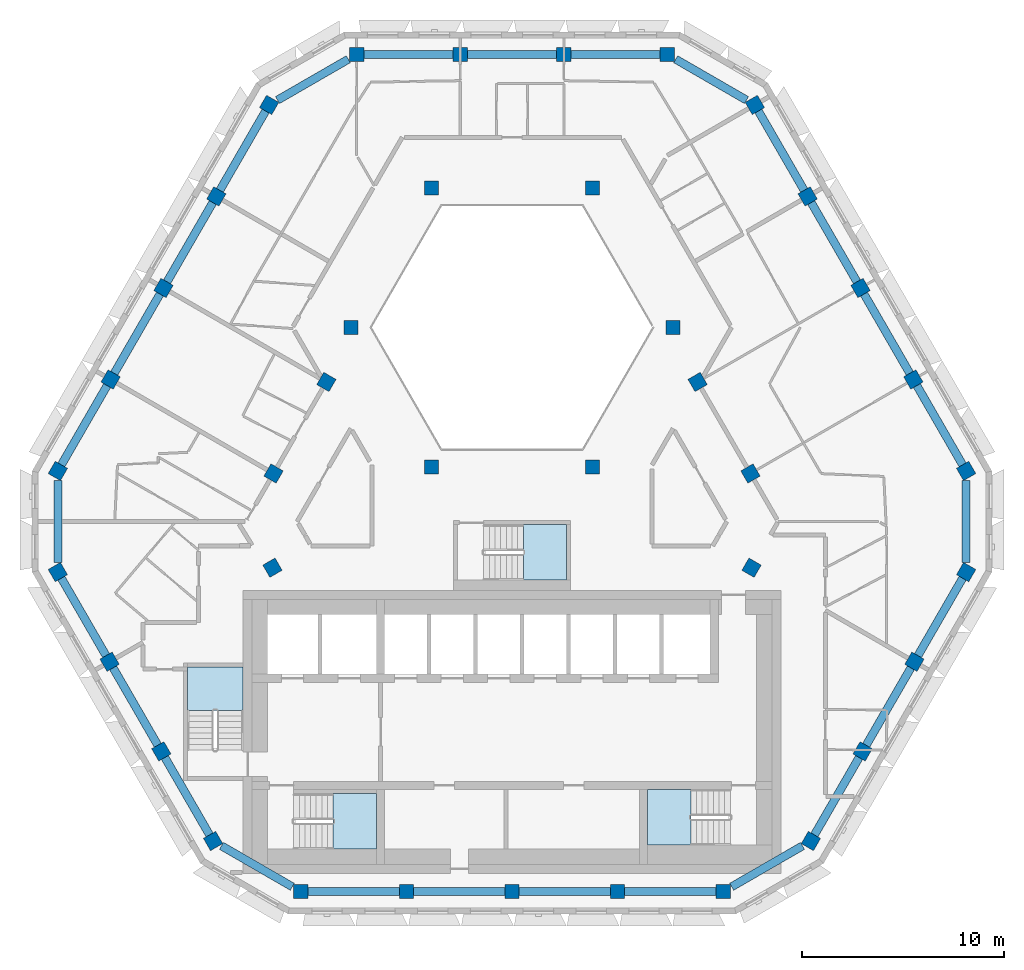
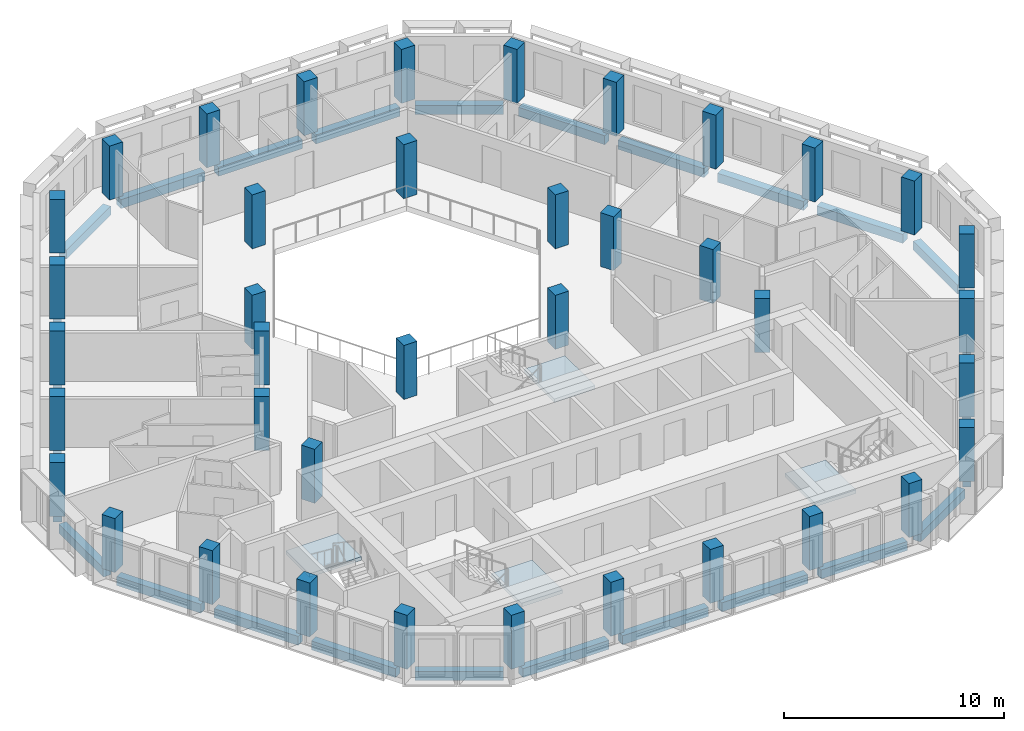
# One storey, part 1 of 16: 39 columns, 27 beams, 4 slabs, 4 elements without a shape of their own.
"""IFC4 building model written with IfcOpenShell, lengths in metres."""

from ifc_helpers import new_model, si_unit, direction, frame, origin, origin_2d, place, context, subcontext, project, spatial, polyline, rectangle, outline, extrude, material, layer, layer_set, material_profile, profile_set, type_object, element, aggregate, save


model = new_model("IFC4")

# Units and contexts
model_context = context("Model", 3, precision=1e-05, world=origin(), true_north=direction((0.0, 1.0)))
body_context = subcontext(model_context, "Body", "Model", "MODEL_VIEW")
ifc_project = project(units=[si_unit("LENGTHUNIT", "METRE"), si_unit("AREAUNIT", "SQUARE_METRE"), si_unit("VOLUMEUNIT", "CUBIC_METRE"), si_unit("PLANEANGLEUNIT", "RADIAN"), si_unit("MASSUNIT", "GRAM", prefix="KILO")], contexts=[model_context])

# Site, building, storey
site_placement = place(None, origin())
site = spatial("IfcSite", under=ifc_project, at=site_placement, CompositionType="ELEMENT")
building_placement = place(site_placement, origin())
building = spatial("IfcBuilding", under=site, at=building_placement, Name="Beryl Residences", CompositionType="ELEMENT")
storey_placement = place(building_placement, frame((0.0, 0.0, 208.800048828125)))
storey = spatial("IfcBuildingStorey", under=building, at=storey_placement, Name="L64", CompositionType="ELEMENT", Elevation=208.800048828125)

# Columns
ifc_material_1 = material(Name="Concrete C50/60", Category="concrete")
ifc_material_profile_1 = material_profile(ifc_material_1, rectangle(XDim=0.699951171875, YDim=0.699951171875, at=origin_2d()))
ifc_profile_set_1 = profile_set([ifc_material_profile_1], Name="Concrete C50/60")
column_type_1 = type_object("IfcColumnType", Name="C5 tube column 700 x 700 C50/60", PredefinedType="COLUMN", material=ifc_profile_set_1)
for number, where, z_axis, x_axis, name in (
    (1, (7.678955078125, 21.5, 0.0), (0.0, 0.0, 1.0), (-1.0, 0.0, 0.0), "C5-N1 L64"),
    (2, (2.56005859375, 21.5, 0.0), (0.0, 0.0, 1.0), (-1.0, 0.0, 0.0), "C5-N2 L64"),
    (3, (-2.55908203125, 21.5, 0.0), (0.0, 0.0, 1.0), (-1.0, 0.0, 0.0), "C5-N3 L64"),
    (4, (-7.677978515625, 21.5, 0.0), (0.0, 0.0, 1.0), (-1.0, 0.0, 0.0), "C5-N4 L64"),
    (5, (-12.009033203125, 19.0, 0.0), (0.0, 0.0, 1.0), (-0.499969769706, -0.866042856549, 0.0), "C5-NW1 L64"),
    (6, (-14.62109375, 14.47509765625, 0.0), (0.0, 0.0, 1.0), (-0.499969769706, -0.866042856549, 0.0), "C5-NW2 L64"),
    (7, (-17.23291015625, 9.949951171875, 0.0), (0.0, 0.0, 1.0), (-0.499969769706, -0.866042856549, 0.0), "C5-NW3 L64"),
    (8, (-19.845947265625, 5.425048828125, 0.0), (0.0, 0.0, 1.0), (-0.499969769706, -0.866042856549, 0.0), "C5-NW4 L64"),
    (9, (-22.4580078125, 0.89990234375, 0.0), (0.0, 0.0, 1.0), (-0.499969769706, -0.866042856549, 0.0), "C5-NW5 L64"),
    (10, (-22.458984375, -4.10009765625, 0.0), (0.0, 0.0, 1.0), (0.499984884929, -0.866034130299, 0.0), "C5-SW1 L64"),
    (11, (-19.89892578125, -8.532958984375, 0.0), (0.0, 0.0, 1.0), (0.499984884929, -0.866034130299, 0.0), "C5-SW2 L64"),
    (12, (-17.340087890625, -12.966064453125, 0.0), (0.0, 0.0, 1.0), (0.499984884929, -0.866034130299, 0.0), "C5-SW3 L64"),
    (13, (-14.781005859375, -17.39892578125, 0.0), (0.0, 0.0, 1.0), (0.499984884929, -0.866034130299, 0.0), "C5-SW4 L64"),
    (14, (-10.449951171875, -19.89990234375, 0.0), (0.0, 0.0, 1.0), (1.0, 0.0, 0.0), "C5-S1 L64"),
    (15, (-5.22509765625, -19.89990234375, 0.0), (0.0, 0.0, 1.0), (1.0, 0.0, 0.0), "C5-S2 L64"),
    (16, (0.0, -19.89990234375, 0.0), (0.0, 0.0, 1.0), (1.0, 0.0, 0.0), "C5-S3 L64"),
    (17, (5.22509765625, -19.89990234375, 0.0), (0.0, 0.0, 1.0), (1.0, 0.0, 0.0), "C5-S4 L64"),
    (18, (10.449951171875, -19.89990234375, 0.0), (0.0, 0.0, 1.0), (1.0, 0.0, 0.0), "C5-S5 L64"),
    (19, (14.780029296875, -17.39990234375, 0.0), (0.0, 0.0, 1.0), (0.499984884929, 0.866034130299, 0.0), "C5-SE1 L64"),
    (20, (17.339111328125, -12.967041015625, 0.0), (0.0, 0.0, 1.0), (0.499984884929, 0.866034130299, 0.0), "C5-SE2 L64"),
    (21, (19.89892578125, -8.533935546875, 0.0), (0.0, 0.0, 1.0), (0.499984884929, 0.866034130299, 0.0), "C5-SE3 L64"),
    (22, (22.4580078125, -4.10107421875, 0.0), (0.0, 0.0, 1.0), (0.499984884929, 0.866034130299, 0.0), "C5-SE4 L64"),
    (23, (22.4580078125, 0.89990234375, 0.0), (0.0, 0.0, 1.0), (-0.499969769706, 0.866042856549, 0.0), "C5-NE1 L64"),
    (24, (19.845947265625, 5.425048828125, 0.0), (0.0, 0.0, 1.0), (-0.499969769706, 0.866042856549, 0.0), "C5-NE2 L64"),
    (25, (17.23291015625, 9.949951171875, 0.0), (0.0, 0.0, 1.0), (-0.499969769706, 0.866042856549, 0.0), "C5-NE3 L64"),
    (26, (14.62109375, 14.47509765625, 0.0), (0.0, 0.0, 1.0), (-0.499969769706, 0.866042856549, 0.0), "C5-NE4 L64"),
    (27, (12.009033203125, 19.0, 0.0), (0.0, 0.0, 1.0), (-0.499969769706, 0.866042856549, 0.0), "C5-NE5 L64"),
):
    element("IfcColumn", number, at=place(storey_placement, frame(where, z_axis=z_axis, x_axis=x_axis)), inside=storey, type_object=column_type_1, Name=name, PredefinedType="COLUMN", context=body_context, shape_type="SweptSolid", body=[
        extrude(rectangle(XDim=0.699951171875, YDim=0.699951171875, at=origin_2d()), origin(), (0.0, 0.0, 1.0), 3.0),
    ])
ifc_material_2 = material(Name="Concrete C50/60", Category="concrete")
ifc_material_profile_2 = material_profile(ifc_material_2, rectangle(XDim=0.699951171875, YDim=0.699951171875, at=origin_2d()))
ifc_profile_set_2 = profile_set([ifc_material_profile_2], Name="Concrete C50/60")
column_type_2 = type_object("IfcColumnType", Name="IC5 interior column 700 x 700 C50/60", PredefinedType="COLUMN", material=ifc_profile_set_2)
for number, where, z_axis, x_axis, name in (
    (28, (-11.844970703125, -3.883056640625, 0.0), (0.0, 0.0, 1.0), (0.499984884929, -0.866034130299, 0.0), "IC5-M01 L64"),
    (29, (11.844970703125, -3.884033203125, 0.0), (0.0, 0.0, 1.0), (0.499984884929, 0.866034130299, 0.0), "IC5-M02 L64"),
    (30, (11.7919921875, 0.77490234375, 0.0), (0.0, 0.0, 1.0), (-0.499969769706, 0.866042856549, 0.0), "IC5-M03 L64"),
    (31, (3.98388671875, 1.10009765625, 0.0), (0.0, 0.0, 1.0), (1.0, 0.0, 0.0), "IC5-A04 L64"),
    (32, (9.178955078125, 5.300048828125, 0.0), (0.0, 0.0, 1.0), (-0.499969769706, 0.866042856549, 0.0), "IC5-M05 L64"),
    (33, (7.967041015625, 8.0, 0.0), (0.0, 0.0, 1.0), (1.0, 0.0, 0.0), "IC5-A06 L64"),
    (34, (3.98388671875, 14.89990234375, 0.0), (0.0, 0.0, 1.0), (1.0, 0.0, 0.0), "IC5-A07 L64"),
    (35, (-3.98388671875, 14.89990234375, 0.0), (0.0, 0.0, 1.0), (1.0, 0.0, 0.0), "IC5-A08 L64"),
    (36, (-7.967041015625, 8.0, 0.0), (0.0, 0.0, 1.0), (1.0, 0.0, 0.0), "IC5-A09 L64"),
    (37, (-9.178955078125, 5.300048828125, 0.0), (0.0, 0.0, 1.0), (-0.499969769706, -0.866042856549, 0.0), "IC5-M10 L64"),
    (38, (-3.98388671875, 1.10009765625, 0.0), (0.0, 0.0, 1.0), (1.0, 0.0, 0.0), "IC5-A11 L64"),
    (39, (-11.7919921875, 0.77490234375, 0.0), (0.0, 0.0, 1.0), (-0.499969769706, -0.866042856549, 0.0), "IC5-M12 L64"),
):
    element("IfcColumn", number, at=place(storey_placement, frame(where, z_axis=z_axis, x_axis=x_axis)), inside=storey, type_object=column_type_2, Name=name, PredefinedType="COLUMN", context=body_context, shape_type="SweptSolid", body=[
        extrude(rectangle(XDim=0.699951171875, YDim=0.699951171875, at=origin_2d()), origin(), (0.0, 0.0, 1.0), 3.0),
    ])

# Beams
ifc_material_3 = material(Name="Concrete C50/60", Category="concrete")
ifc_material_profile_3 = material_profile(ifc_material_3, rectangle(XDim=0.39990234375, YDim=0.5, at=origin_2d()))
ifc_profile_set_3 = profile_set([ifc_material_profile_3], Name="Concrete C50/60")
beam_type = type_object("IfcBeamType", Name="SB5 spandrel beam 400 x 500 C50/60", PredefinedType="SPANDREL", material=ifc_profile_set_3)
beam_1_placement = place(storey_placement, frame((7.3291015625, 21.5, -0.550048828125), z_axis=(-1.0, 0.0, 0.0), x_axis=(0.0, -1.0, 0.0)))
element("IfcBeam", 40, at=beam_1_placement, inside=storey, type_object=beam_type, Name="SB5 L64 N-0", PredefinedType="SPANDREL", context=body_context, shape_type="SweptSolid", body=[
    extrude(rectangle(XDim=0.39990234375, YDim=0.5, at=origin_2d()), origin(), (0.0, 0.0, 1.0), 4.419189453125),
])
for number, where, z_axis, x_axis, name in (
    (41, (2.2099609375, 21.5, -0.550048828125), (-1.0, 0.0, 0.0), (0.0, -1.0, 0.0), "SB5 L64 N-1"),
    (42, (-2.908935546875, 21.5, -0.550048828125), (-1.0, 0.0, 0.0), (0.0, -1.0, 0.0), "SB5 L64 N-2"),
):
    element("IfcBeam", number, at=place(storey_placement, frame(where, z_axis=z_axis, x_axis=x_axis)), inside=storey, type_object=beam_type, Name=name, PredefinedType="SPANDREL", context=body_context, shape_type="SweptSolid", body=[
        extrude(rectangle(XDim=0.39990234375, YDim=0.5, at=origin_2d()), origin(), (0.0, 0.0, 1.0), 4.4189453125),
    ])
beam_2_placement = place(storey_placement, frame((-8.092041015625, 21.260986328125, -0.550048828125), z_axis=(-0.866073013527, -0.499917528438, 0.0), x_axis=(0.499917528438, -0.866073013527, 0.0)))
element("IfcBeam", 43, at=beam_2_placement, inside=storey, type_object=beam_type, Name="SB5 L64 N-3", PredefinedType="SPANDREL", context=body_context, shape_type="SweptSolid", body=[
    extrude(rectangle(XDim=0.39990234375, YDim=0.5, at=origin_2d()), origin(), (0.0, 0.0, 1.0), 4.044677734375),
])
beam_3_placement = place(storey_placement, frame((-12.18408203125, 18.697021484375, -0.550048828125), z_axis=(-0.499893710643, -0.866086761277, 0.0), x_axis=(0.866086761277, -0.499893710643, 0.0)))
element("IfcBeam", 44, at=beam_3_placement, inside=storey, type_object=beam_type, Name="SB5 L64 NW-0", PredefinedType="SPANDREL", context=body_context, shape_type="SweptSolid", body=[
    extrude(rectangle(XDim=0.39990234375, YDim=0.5, at=origin_2d()), origin(), (0.0, 0.0, 1.0), 4.52490234375),
])
beam_4_placement = place(storey_placement, frame((-14.7958984375, 14.172119140625, -0.550048828125), z_axis=(-0.499910821401, -0.866076884951, 0.0), x_axis=(0.866076884951, -0.499910821401, 0.0)))
element("IfcBeam", 45, at=beam_4_placement, inside=storey, type_object=beam_type, Name="SB5 L64 NW-1", PredefinedType="SPANDREL", context=body_context, shape_type="SweptSolid", body=[
    extrude(rectangle(XDim=0.39990234375, YDim=0.5, at=origin_2d()), origin(), (0.0, 0.0, 1.0), 4.525146484375),
])
beam_5_placement = place(storey_placement, frame((-17.407958984375, 9.64697265625, -0.550048828125), z_axis=(-0.500055572588, -0.865993316558, 0.0), x_axis=(0.865993316558, -0.500055572588, 0.0)))
element("IfcBeam", 46, at=beam_5_placement, inside=storey, type_object=beam_type, Name="SB5 L64 NW-2", PredefinedType="SPANDREL", context=body_context, shape_type="SweptSolid", body=[
    extrude(rectangle(XDim=0.39990234375, YDim=0.5, at=origin_2d()), origin(), (0.0, 0.0, 1.0), 4.525390625),
])
beam_6_placement = place(storey_placement, frame((-20.02099609375, 5.1220703125, -0.550048828125), z_axis=(-0.499870351634, -0.866100243365, 0.0), x_axis=(0.866100243365, -0.499870351634, 0.0)))
element("IfcBeam", 47, at=beam_6_placement, inside=storey, type_object=beam_type, Name="SB5 L64 NW-3", PredefinedType="SPANDREL", context=body_context, shape_type="SweptSolid", body=[
    extrude(rectangle(XDim=0.39990234375, YDim=0.5, at=origin_2d()), origin(), (0.0, 0.0, 1.0), 4.525146484375),
])
beam_7_placement = place(storey_placement, frame((-22.4580078125, 0.422119140625, -0.550048828125), z_axis=(-0.000241472978, -0.999999970845, 0.0), x_axis=(0.999999970845, -0.000241472978, 0.0)))
element("IfcBeam", 48, at=beam_7_placement, inside=storey, type_object=beam_type, Name="SB5 L64 NW-4", PredefinedType="SPANDREL", context=body_context, shape_type="SweptSolid", body=[
    extrude(rectangle(XDim=0.39990234375, YDim=0.5, at=origin_2d()), origin(), (0.0, 0.0, 1.0), 4.044189453125),
])
beam_8_placement = place(storey_placement, frame((-22.283935546875, -4.403076171875, -0.550048828125), z_axis=(0.500084296963, -0.86597672944, 0.0), x_axis=(0.86597672944, 0.500084296963, 0.0)))
element("IfcBeam", 49, at=beam_8_placement, inside=storey, type_object=beam_type, Name="SB5 L64 SW-0", PredefinedType="SPANDREL", context=body_context, shape_type="SweptSolid", body=[
    extrude(rectangle(XDim=0.39990234375, YDim=0.5, at=origin_2d()), origin(), (0.0, 0.0, 1.0), 4.419189453125),
])
beam_9_placement = place(storey_placement, frame((-19.72412109375, -8.8359375, -0.550048828125), z_axis=(0.49993607075, -0.866062310208, 0.0), x_axis=(0.866062310208, 0.49993607075, 0.0)))
element("IfcBeam", 50, at=beam_9_placement, inside=storey, type_object=beam_type, Name="SB5 L64 SW-1", PredefinedType="SPANDREL", context=body_context, shape_type="SweptSolid", body=[
    extrude(rectangle(XDim=0.39990234375, YDim=0.5, at=origin_2d()), origin(), (0.0, 0.0, 1.0), 4.4189453125),
])
beam_10_placement = place(storey_placement, frame((-17.1650390625, -13.26904296875, -0.550048828125), z_axis=(0.499918550948, -0.86607242331, 0.0), x_axis=(0.86607242331, 0.499918550948, 0.0)))
element("IfcBeam", 51, at=beam_10_placement, inside=storey, type_object=beam_type, Name="SB5 L64 SW-2", PredefinedType="SPANDREL", context=body_context, shape_type="SweptSolid", body=[
    extrude(rectangle(XDim=0.39990234375, YDim=0.5, at=origin_2d()), origin(), (0.0, 0.0, 1.0), 4.418701171875),
])
beam_11_placement = place(storey_placement, frame((-14.366943359375, -17.637939453125, -0.550048828125), z_axis=(0.865968468779, -0.500098601359, 0.0), x_axis=(0.500098601359, 0.865968468779, 0.0)))
element("IfcBeam", 52, at=beam_11_placement, inside=storey, type_object=beam_type, Name="SB5 L64 SW-3", PredefinedType="SPANDREL", context=body_context, shape_type="SweptSolid", body=[
    extrude(rectangle(XDim=0.39990234375, YDim=0.5, at=origin_2d()), origin(), (0.0, 0.0, 1.0), 4.045166015625),
])
beam_12_placement = place(storey_placement, frame((-10.10009765625, -19.89990234375, -0.550048828125), z_axis=(1.0, 0.0, 0.0), x_axis=(0.0, 1.0, 0.0)))
element("IfcBeam", 53, at=beam_12_placement, inside=storey, type_object=beam_type, Name="SB5 L64 S-0", PredefinedType="SPANDREL", context=body_context, shape_type="SweptSolid", body=[
    extrude(rectangle(XDim=0.39990234375, YDim=0.5, at=origin_2d()), origin(), (0.0, 0.0, 1.0), 4.525146484375),
])
for number, where, z_axis, x_axis, name in (
    (54, (-4.875, -19.89990234375, -0.550048828125), (1.0, 0.0, 0.0), (0.0, 1.0, 0.0), "SB5 L64 S-1"),
    (55, (0.35009765625, -19.89990234375, -0.550048828125), (1.0, 0.0, 0.0), (0.0, 1.0, 0.0), "SB5 L64 S-2"),
):
    element("IfcBeam", number, at=place(storey_placement, frame(where, z_axis=z_axis, x_axis=x_axis)), inside=storey, type_object=beam_type, Name=name, PredefinedType="SPANDREL", context=body_context, shape_type="SweptSolid", body=[
        extrude(rectangle(XDim=0.39990234375, YDim=0.5, at=origin_2d()), origin(), (0.0, 0.0, 1.0), 4.52490234375),
    ])
beam_13_placement = place(storey_placement, frame((5.574951171875, -19.89990234375, -0.550048828125), z_axis=(1.0, 0.0, 0.0), x_axis=(0.0, 1.0, 0.0)))
element("IfcBeam", 56, at=beam_13_placement, inside=storey, type_object=beam_type, Name="SB5 L64 S-3", PredefinedType="SPANDREL", context=body_context, shape_type="SweptSolid", body=[
    extrude(rectangle(XDim=0.39990234375, YDim=0.5, at=origin_2d()), origin(), (0.0, 0.0, 1.0), 4.525146484375),
])
beam_14_placement = place(storey_placement, frame((10.864013671875, -19.660888671875, -0.550048828125), z_axis=(0.866012652573, 0.500022085096, 0.0), x_axis=(-0.500022085096, 0.866012652573, 0.0)))
element("IfcBeam", 57, at=beam_14_placement, inside=storey, type_object=beam_type, Name="SB5 L64 S-4", PredefinedType="SPANDREL", context=body_context, shape_type="SweptSolid", body=[
    extrude(rectangle(XDim=0.39990234375, YDim=0.5, at=origin_2d()), origin(), (0.0, 0.0, 1.0), 4.043701171875),
])
beam_15_placement = place(storey_placement, frame((14.955078125, -17.096923828125, -0.550048828125), z_axis=(0.499918550948, 0.86607242331, 0.0), x_axis=(-0.86607242331, 0.499918550948, 0.0)))
element("IfcBeam", 58, at=beam_15_placement, inside=storey, type_object=beam_type, Name="SB5 L64 SE-0", PredefinedType="SPANDREL", context=body_context, shape_type="SweptSolid", body=[
    extrude(rectangle(XDim=0.39990234375, YDim=0.5, at=origin_2d()), origin(), (0.0, 0.0, 1.0), 4.418701171875),
])
beam_16_placement = place(storey_placement, frame((17.513916015625, -12.6640625, -0.550048828125), z_axis=(0.500101800387, 0.865966621326, 0.0), x_axis=(-0.865966621326, 0.500101800387, 0.0)))
element("IfcBeam", 59, at=beam_16_placement, inside=storey, type_object=beam_type, Name="SB5 L64 SE-1", PredefinedType="SPANDREL", context=body_context, shape_type="SweptSolid", body=[
    extrude(rectangle(XDim=0.39990234375, YDim=0.5, at=origin_2d()), origin(), (0.0, 0.0, 1.0), 4.41943359375),
])
beam_17_placement = place(storey_placement, frame((20.073974609375, -8.23095703125, -0.550048828125), z_axis=(0.499918550948, 0.86607242331, 0.0), x_axis=(-0.86607242331, 0.499918550948, 0.0)))
element("IfcBeam", 60, at=beam_17_placement, inside=storey, type_object=beam_type, Name="SB5 L64 SE-2", PredefinedType="SPANDREL", context=body_context, shape_type="SweptSolid", body=[
    extrude(rectangle(XDim=0.39990234375, YDim=0.5, at=origin_2d()), origin(), (0.0, 0.0, 1.0), 4.418701171875),
])
beam_18_placement = place(storey_placement, frame((22.4580078125, -3.623046875, -0.550048828125), z_axis=(0.0, 1.0, 0.0), x_axis=(-1.0, 0.0, 0.0)))
element("IfcBeam", 61, at=beam_18_placement, inside=storey, type_object=beam_type, Name="SB5 L64 SE-3", PredefinedType="SPANDREL", context=body_context, shape_type="SweptSolid", body=[
    extrude(rectangle(XDim=0.39990234375, YDim=0.5, at=origin_2d()), origin(), (0.0, 0.0, 1.0), 4.045166015625),
])
beam_19_placement = place(storey_placement, frame((22.282958984375, 1.202880859375, -0.550048828125), z_axis=(-0.499870351634, 0.866100243365, 0.0), x_axis=(-0.866100243365, -0.499870351634, 0.0)))
element("IfcBeam", 62, at=beam_19_placement, inside=storey, type_object=beam_type, Name="SB5 L64 NE-0", PredefinedType="SPANDREL", context=body_context, shape_type="SweptSolid", body=[
    extrude(rectangle(XDim=0.39990234375, YDim=0.5, at=origin_2d()), origin(), (0.0, 0.0, 1.0), 4.525146484375),
])
beam_20_placement = place(storey_placement, frame((19.6708984375, 5.72802734375, -0.550048828125), z_axis=(-0.500055572588, 0.865993316558, 0.0), x_axis=(-0.865993316558, -0.500055572588, 0.0)))
element("IfcBeam", 63, at=beam_20_placement, inside=storey, type_object=beam_type, Name="SB5 L64 NE-1", PredefinedType="SPANDREL", context=body_context, shape_type="SweptSolid", body=[
    extrude(rectangle(XDim=0.39990234375, YDim=0.5, at=origin_2d()), origin(), (0.0, 0.0, 1.0), 4.525390625),
])
beam_21_placement = place(storey_placement, frame((17.05810546875, 10.2529296875, -0.550048828125), z_axis=(-0.499910821401, 0.866076884951, 0.0), x_axis=(-0.866076884951, -0.499910821401, 0.0)))
element("IfcBeam", 64, at=beam_21_placement, inside=storey, type_object=beam_type, Name="SB5 L64 NE-2", PredefinedType="SPANDREL", context=body_context, shape_type="SweptSolid", body=[
    extrude(rectangle(XDim=0.39990234375, YDim=0.5, at=origin_2d()), origin(), (0.0, 0.0, 1.0), 4.525146484375),
])
beam_22_placement = place(storey_placement, frame((14.446044921875, 14.778076171875, -0.550048828125), z_axis=(-0.499893710643, 0.866086761277, 0.0), x_axis=(-0.866086761277, -0.499893710643, 0.0)))
element("IfcBeam", 65, at=beam_22_placement, inside=storey, type_object=beam_type, Name="SB5 L64 NE-3", PredefinedType="SPANDREL", context=body_context, shape_type="SweptSolid", body=[
    extrude(rectangle(XDim=0.39990234375, YDim=0.5, at=origin_2d()), origin(), (0.0, 0.0, 1.0), 4.52490234375),
])
beam_23_placement = place(storey_placement, frame((11.594970703125, 19.239013671875, -0.550048828125), z_axis=(-0.866012652573, 0.500022085096, 0.0), x_axis=(-0.500022085096, -0.866012652573, 0.0)))
element("IfcBeam", 66, at=beam_23_placement, inside=storey, type_object=beam_type, Name="SB5 L64 NE-4", PredefinedType="SPANDREL", context=body_context, shape_type="SweptSolid", body=[
    extrude(rectangle(XDim=0.39990234375, YDim=0.5, at=origin_2d()), origin(), (0.0, 0.0, 1.0), 4.043701171875),
])

# Stair, slab
ifc_material_4 = material(Name="Concrete C40/50", Category="concrete")
stair_type = type_object("IfcStairType", Name="ST1 protected exit stair, half-turn, 1300 mm flights", PredefinedType="HALF_TURN_STAIR", material=ifc_material_4)
stair_1_placement = place(storey_placement, origin())
stair_1 = element("IfcStair", 67, at=stair_1_placement, inside=storey, type_object=stair_type, Name="L64 PROTECTED EXIT STAIR ST-1", PredefinedType="HALF_TURN_STAIR")
ifc_material_5 = material(Name="Concrete C40/50", Category="concrete")
ifc_layer = layer(ifc_material_5, 0.199951171875)
ifc_layer_set = layer_set([ifc_layer], Name="SLD1 stair landing 200 mm")
slab_type = type_object("IfcSlabType", Name="SLD1 stair landing 200 mm", PredefinedType="LANDING", material=ifc_layer_set)
slab_1_placement = place(storey_placement, frame((0.0, 0.0, 1.300048828125)))
slab_1 = element("IfcSlab", 68, at=slab_1_placement, type_object=slab_type, Name="ST-1 landing 1", PredefinedType="LANDING", context=body_context, shape_type="SweptSolid", body=[
    extrude(outline(polyline([(-8.840087890625, -17.800048828125), (-6.699951171875, -17.800048828125), (-6.699951171875, -15.050048828125), (-8.840087890625, -15.050048828125), (-8.840087890625, -17.800048828125)])), origin(), (0.0, 0.0, 1.0), 0.199951171875),
])
aggregate(stair_1, [slab_1])

stair_2_placement = place(storey_placement, origin())
stair_2 = element("IfcStair", 69, at=stair_2_placement, inside=storey, type_object=stair_type, Name="L64 PROTECTED EXIT STAIR ST-2", PredefinedType="HALF_TURN_STAIR")
slab_2_placement = place(storey_placement, frame((0.0, 0.0, 1.300048828125)))
slab_2 = element("IfcSlab", 70, at=slab_2_placement, type_object=slab_type, Name="ST-2 landing 1", PredefinedType="LANDING", context=body_context, shape_type="SweptSolid", body=[
    extrude(outline(polyline([(-13.300048828125, -10.93994140625), (-13.300048828125, -8.800048828125), (-16.050048828125, -8.800048828125), (-16.050048828125, -10.93994140625), (-13.300048828125, -10.93994140625)])), origin(), (0.0, 0.0, 1.0), 0.199951171875),
])
aggregate(stair_2, [slab_2])

stair_3_placement = place(storey_placement, origin())
stair_3 = element("IfcStair", 71, at=stair_3_placement, inside=storey, type_object=stair_type, Name="L64 PROTECTED EXIT STAIR ST-3", PredefinedType="HALF_TURN_STAIR")
slab_3_placement = place(storey_placement, frame((0.0, 0.0, 1.300048828125)))
slab_3 = element("IfcSlab", 72, at=slab_3_placement, type_object=slab_type, Name="ST-3 landing 1", PredefinedType="LANDING", context=body_context, shape_type="SweptSolid", body=[
    extrude(outline(polyline([(8.840087890625, -14.85009765625), (6.699951171875, -14.85009765625), (6.699951171875, -17.60009765625), (8.840087890625, -17.60009765625), (8.840087890625, -14.85009765625)])), origin(), (0.0, 0.0, 1.0), 0.199951171875),
])
aggregate(stair_3, [slab_3])

stair_4_placement = place(storey_placement, origin())
stair_4 = element("IfcStair", 73, at=stair_4_placement, inside=storey, type_object=stair_type, Name="L64 PROTECTED EXIT STAIR ST-4", PredefinedType="HALF_TURN_STAIR")
slab_4_placement = place(storey_placement, frame((0.0, 0.0, 1.300048828125)))
slab_4 = element("IfcSlab", 74, at=slab_4_placement, type_object=slab_type, Name="ST-4 landing 1", PredefinedType="LANDING", context=body_context, shape_type="SweptSolid", body=[
    extrude(outline(polyline([(0.56005859375, -4.5), (2.699951171875, -4.5), (2.699951171875, -1.75), (0.56005859375, -1.75), (0.56005859375, -4.5)])), origin(), (0.0, 0.0, 1.0), 0.199951171875),
])
aggregate(stair_4, [slab_4])

save(model, "model.ifc")
